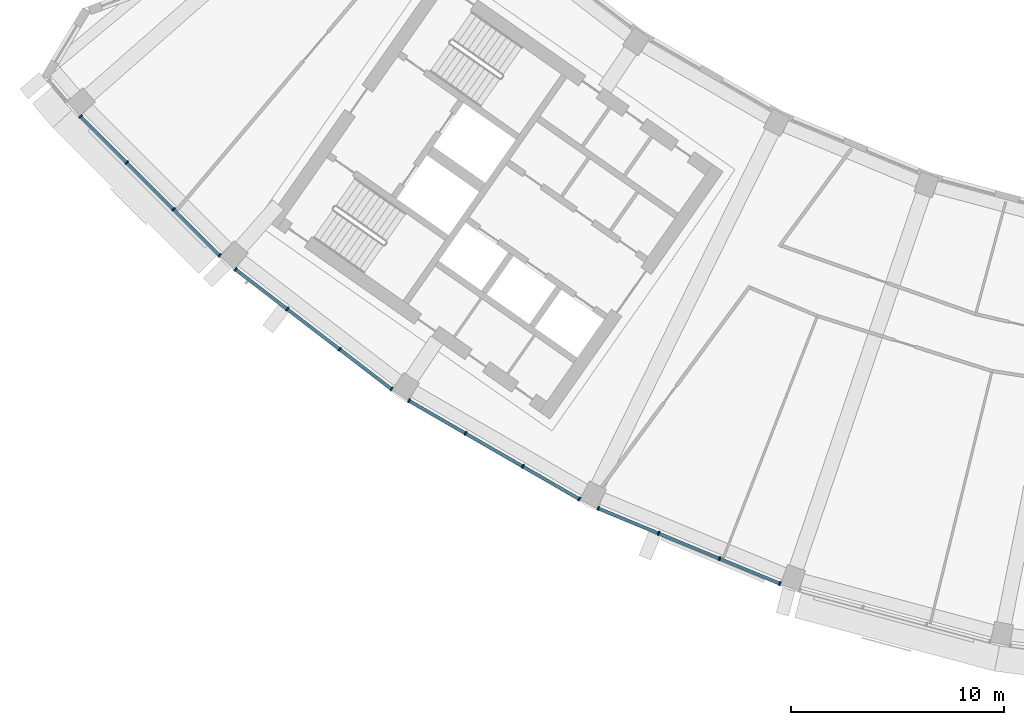
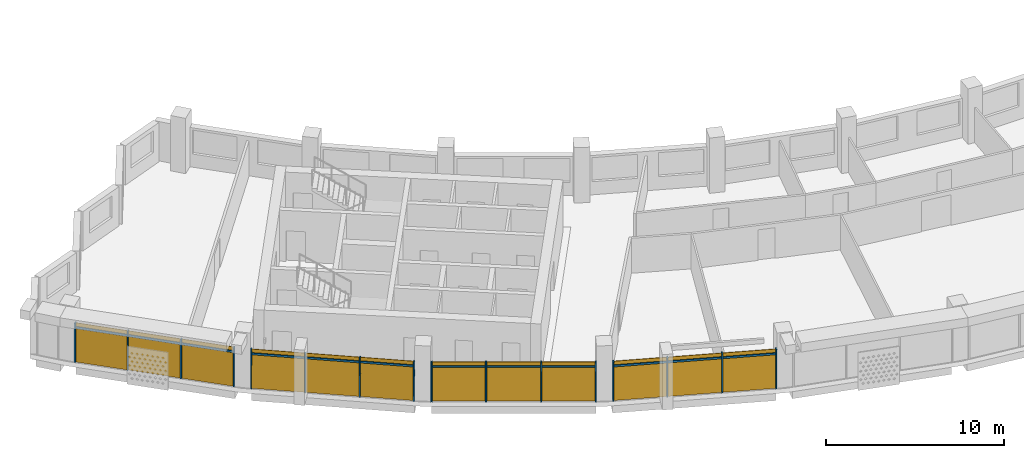
# One storey, part 18 of 28: 28 members, 4 curtain walls.
"""IFC4 building model written with IfcOpenShell, lengths in metres."""

from ifc_helpers import new_model, si_unit, direction, frame, origin, origin_2d, place, context, subcontext, project, spatial, rectangle, extrude, material, material_profile, profile_set, type_object, element, aggregate, save


model = new_model("IFC4")

# Units and contexts
model_context = context("Model", 3, precision=1e-05, world=origin(), true_north=direction((0.0, 1.0)))
body_context = subcontext(model_context, "Body", "Model", "MODEL_VIEW")
ifc_project = project(units=[si_unit("LENGTHUNIT", "METRE"), si_unit("AREAUNIT", "SQUARE_METRE"), si_unit("VOLUMEUNIT", "CUBIC_METRE"), si_unit("PLANEANGLEUNIT", "RADIAN"), si_unit("MASSUNIT", "GRAM", prefix="KILO")], contexts=[model_context])

# Member
ifc_material = material(Name="Aluminium 6063-T6 anodised", Category="aluminium")
ifc_material_profile_1 = material_profile(ifc_material, rectangle(XDim=0.199951171875, YDim=0.070068359375, at=origin_2d()))
ifc_profile_set_1 = profile_set([ifc_material_profile_1], Name="Aluminium 6063-T6 anodised")
member_type_1 = type_object("IfcMemberType", Name="Mullion 70 x 200 aluminium", PredefinedType="MULLION", material=ifc_profile_set_1)
site_placement = place(None, origin())
building_placement = place(site_placement, origin())
storey_placement = place(building_placement, frame((0.0, 0.0, 269.5)))
member_1_placement = place(storey_placement, frame((-58.482421875, -51.942626953125, 0.0), z_axis=(0.0, 0.0, 1.0), x_axis=(0.707106781187, 0.707106781187, 0.0)))
member_1 = element("IfcMember", 1, at=member_1_placement, type_object=member_type_1, Name="e-cw1-L65-out01/M00", PredefinedType="MULLION", context=body_context, shape_type="SweptSolid", body=[
    extrude(rectangle(XDim=0.199951171875, YDim=0.070068359375, at=origin_2d()), origin(), (0.0, 0.0, 1.0), 2.699951171875),
])

member_2_placement = place(storey_placement, frame((-56.310791015625, -54.1142578125, 0.0), z_axis=(0.0, 0.0, 1.0), x_axis=(0.707106781187, 0.707106781187, 0.0)))
member_2 = element("IfcMember", 2, at=member_2_placement, type_object=member_type_1, Name="e-cw1-L65-out01/M01", PredefinedType="MULLION", context=body_context, shape_type="SweptSolid", body=[
    extrude(rectangle(XDim=0.199951171875, YDim=0.070068359375, at=origin_2d()), origin(), (0.0, 0.0, 1.0), 2.699951171875),
])

member_3_placement = place(storey_placement, frame((-54.1142578125, -56.310791015625, 0.0), z_axis=(0.0, 0.0, 1.0), x_axis=(0.707106781187, 0.707106781187, 0.0)))
member_3 = element("IfcMember", 3, at=member_3_placement, type_object=member_type_1, Name="e-cw1-L65-out01/M02", PredefinedType="MULLION", context=body_context, shape_type="SweptSolid", body=[
    extrude(rectangle(XDim=0.199951171875, YDim=0.070068359375, at=origin_2d()), origin(), (0.0, 0.0, 1.0), 2.699951171875),
])

member_4_placement = place(storey_placement, frame((-51.942626953125, -58.482421875, 0.0), z_axis=(0.0, 0.0, 1.0), x_axis=(0.707106781187, 0.707106781187, 0.0)))
member_4 = element("IfcMember", 4, at=member_4_placement, type_object=member_type_1, Name="e-cw1-L65-out01/M03", PredefinedType="MULLION", context=body_context, shape_type="SweptSolid", body=[
    extrude(rectangle(XDim=0.199951171875, YDim=0.070068359375, at=origin_2d()), origin(), (0.0, 0.0, 1.0), 2.699951171875),
])

member_5_placement = place(storey_placement, frame((-51.2021484375, -59.131591796875, 0.0), z_axis=(0.0, 0.0, 1.0), x_axis=(0.608761429009, 0.793353340291, 0.0)))
member_5 = element("IfcMember", 5, at=member_5_placement, type_object=member_type_1, Name="e-cw1-L65-out02/M00", PredefinedType="MULLION", context=body_context, shape_type="SweptSolid", body=[
    extrude(rectangle(XDim=0.199951171875, YDim=0.070068359375, at=origin_2d()), origin(), (0.0, 0.0, 1.0), 2.699951171875),
])

member_6_placement = place(storey_placement, frame((-48.765625, -61.001220703125, 0.0), z_axis=(0.0, 0.0, 1.0), x_axis=(0.608761429009, 0.793353340291, 0.0)))
member_6 = element("IfcMember", 6, at=member_6_placement, type_object=member_type_1, Name="e-cw1-L65-out02/M01", PredefinedType="MULLION", context=body_context, shape_type="SweptSolid", body=[
    extrude(rectangle(XDim=0.199951171875, YDim=0.070068359375, at=origin_2d()), origin(), (0.0, 0.0, 1.0), 2.699951171875),
])

member_7_placement = place(storey_placement, frame((-46.30126953125, -62.892333984375, 0.0), z_axis=(0.0, 0.0, 1.0), x_axis=(0.608761429009, 0.793353340291, 0.0)))
member_7 = element("IfcMember", 7, at=member_7_placement, type_object=member_type_1, Name="e-cw1-L65-out02/M02", PredefinedType="MULLION", context=body_context, shape_type="SweptSolid", body=[
    extrude(rectangle(XDim=0.199951171875, YDim=0.070068359375, at=origin_2d()), origin(), (0.0, 0.0, 1.0), 2.699951171875),
])

member_8_placement = place(storey_placement, frame((-43.86474609375, -64.761962890625, 0.0), z_axis=(0.0, 0.0, 1.0), x_axis=(0.608761429009, 0.793353340291, 0.0)))
member_8 = element("IfcMember", 8, at=member_8_placement, type_object=member_type_1, Name="e-cw1-L65-out02/M03", PredefinedType="MULLION", context=body_context, shape_type="SweptSolid", body=[
    extrude(rectangle(XDim=0.199951171875, YDim=0.070068359375, at=origin_2d()), origin(), (0.0, 0.0, 1.0), 2.699951171875),
])

member_9_placement = place(storey_placement, frame((-43.0458984375, -65.30908203125, 0.0), z_axis=(0.0, 0.0, 1.0), x_axis=(0.5, 0.866025403784, 0.0)))
member_9 = element("IfcMember", 9, at=member_9_placement, type_object=member_type_1, Name="e-cw1-L65-out03/M00", PredefinedType="MULLION", context=body_context, shape_type="SweptSolid", body=[
    extrude(rectangle(XDim=0.199951171875, YDim=0.070068359375, at=origin_2d()), origin(), (0.0, 0.0, 1.0), 2.699951171875),
])

member_10_placement = place(storey_placement, frame((-40.38623046875, -66.8447265625, 0.0), z_axis=(0.0, 0.0, 1.0), x_axis=(0.5, 0.866025403784, 0.0)))
member_10 = element("IfcMember", 10, at=member_10_placement, type_object=member_type_1, Name="e-cw1-L65-out03/M01", PredefinedType="MULLION", context=body_context, shape_type="SweptSolid", body=[
    extrude(rectangle(XDim=0.199951171875, YDim=0.070068359375, at=origin_2d()), origin(), (0.0, 0.0, 1.0), 2.699951171875),
])

member_11_placement = place(storey_placement, frame((-37.696044921875, -68.397705078125, 0.0), z_axis=(0.0, 0.0, 1.0), x_axis=(0.5, 0.866025403784, 0.0)))
member_11 = element("IfcMember", 11, at=member_11_placement, type_object=member_type_1, Name="e-cw1-L65-out03/M02", PredefinedType="MULLION", context=body_context, shape_type="SweptSolid", body=[
    extrude(rectangle(XDim=0.199951171875, YDim=0.070068359375, at=origin_2d()), origin(), (0.0, 0.0, 1.0), 2.699951171875),
])

member_12_placement = place(storey_placement, frame((-35.036376953125, -69.933349609375, 0.0), z_axis=(0.0, 0.0, 1.0), x_axis=(0.5, 0.866025403784, 0.0)))
member_12 = element("IfcMember", 12, at=member_12_placement, type_object=member_type_1, Name="e-cw1-L65-out03/M03", PredefinedType="MULLION", context=body_context, shape_type="SweptSolid", body=[
    extrude(rectangle(XDim=0.199951171875, YDim=0.070068359375, at=origin_2d()), origin(), (0.0, 0.0, 1.0), 2.699951171875),
])

member_13_placement = place(storey_placement, frame((-34.153076171875, -70.368896484375, 0.0), z_axis=(0.0, 0.0, 1.0), x_axis=(0.382683432365, 0.923879532511, 0.0)))
member_13 = element("IfcMember", 13, at=member_13_placement, type_object=member_type_1, Name="e-cw1-L65-out04/M00", PredefinedType="MULLION", context=body_context, shape_type="SweptSolid", body=[
    extrude(rectangle(XDim=0.199951171875, YDim=0.070068359375, at=origin_2d()), origin(), (0.0, 0.0, 1.0), 2.699951171875),
])

member_14_placement = place(storey_placement, frame((-31.315673828125, -71.544189453125, 0.0), z_axis=(0.0, 0.0, 1.0), x_axis=(0.382683432365, 0.923879532511, 0.0)))
member_14 = element("IfcMember", 14, at=member_14_placement, type_object=member_type_1, Name="e-cw1-L65-out04/M01", PredefinedType="MULLION", context=body_context, shape_type="SweptSolid", body=[
    extrude(rectangle(XDim=0.199951171875, YDim=0.070068359375, at=origin_2d()), origin(), (0.0, 0.0, 1.0), 2.699951171875),
])

member_15_placement = place(storey_placement, frame((-28.44580078125, -72.73291015625, 0.0), z_axis=(0.0, 0.0, 1.0), x_axis=(0.382683432365, 0.923879532511, 0.0)))
member_15 = element("IfcMember", 15, at=member_15_placement, type_object=member_type_1, Name="e-cw1-L65-out04/M02", PredefinedType="MULLION", context=body_context, shape_type="SweptSolid", body=[
    extrude(rectangle(XDim=0.199951171875, YDim=0.070068359375, at=origin_2d()), origin(), (0.0, 0.0, 1.0), 2.699951171875),
])

member_16_placement = place(storey_placement, frame((-25.6083984375, -73.908203125, 0.0), z_axis=(0.0, 0.0, 1.0), x_axis=(0.382683432365, 0.923879532511, 0.0)))
member_16 = element("IfcMember", 16, at=member_16_placement, type_object=member_type_1, Name="e-cw1-L65-out04/M03", PredefinedType="MULLION", context=body_context, shape_type="SweptSolid", body=[
    extrude(rectangle(XDim=0.199951171875, YDim=0.070068359375, at=origin_2d()), origin(), (0.0, 0.0, 1.0), 2.699951171875),
])

ifc_material_profile_2 = material_profile(ifc_material, rectangle(XDim=0.139892578125, YDim=0.1201171875, at=origin_2d()))
ifc_profile_set_2 = profile_set([ifc_material_profile_2], Name="Aluminium 6063-T6 anodised")
member_type_2 = type_object("IfcMemberType", Name="Transom 120 x 140 aluminium", PredefinedType="USERDEFINED", material=ifc_profile_set_2)
member_17_placement = place(storey_placement, frame((-58.45751953125, -51.96728515625, 2.39990234375), z_axis=(0.707066106633, -0.707147453401, 0.0), x_axis=(0.707147453401, 0.707066106633, 0.0)))
member_17 = element("IfcMember", 17, at=member_17_placement, type_object=member_type_2, Name="e-cw1-L65-out01/T00", ObjectType="TRANSOM", PredefinedType="USERDEFINED", context=body_context, shape_type="SweptSolid", body=[
    extrude(rectangle(XDim=0.139892578125, YDim=0.1201171875, at=origin_2d()), origin(), (0.0, 0.0, 1.0), 3.001220703125),
])

member_18_placement = place(storey_placement, frame((-56.285888671875, -54.138916015625, 2.39990234375), z_axis=(0.707106781187, -0.707106781187, 0.0), x_axis=(0.707106781187, 0.707106781187, 0.0)))
member_18 = element("IfcMember", 18, at=member_18_placement, type_object=member_type_2, Name="e-cw1-L65-out01/T01", ObjectType="TRANSOM", PredefinedType="USERDEFINED", context=body_context, shape_type="SweptSolid", body=[
    extrude(rectangle(XDim=0.139892578125, YDim=0.1201171875, at=origin_2d()), origin(), (0.0, 0.0, 1.0), 3.036376953125),
])

member_19_placement = place(storey_placement, frame((-54.089599609375, -56.33544921875, 2.39990234375), z_axis=(0.707147453401, -0.707066106633, 0.0), x_axis=(0.707066106633, 0.707147453401, 0.0)))
member_19 = element("IfcMember", 19, at=member_19_placement, type_object=member_type_2, Name="e-cw1-L65-out01/T02", ObjectType="TRANSOM", PredefinedType="USERDEFINED", context=body_context, shape_type="SweptSolid", body=[
    extrude(rectangle(XDim=0.139892578125, YDim=0.1201171875, at=origin_2d()), origin(), (0.0, 0.0, 1.0), 3.001220703125),
])

member_20_placement = place(storey_placement, frame((-51.17431640625, -59.153076171875, 2.39990234375), z_axis=(0.793352271072, -0.60876282244, 0.0), x_axis=(0.60876282244, 0.793352271072, 0.0)))
member_20 = element("IfcMember", 20, at=member_20_placement, type_object=member_type_2, Name="e-cw1-L65-out02/T00", ObjectType="TRANSOM", PredefinedType="USERDEFINED", context=body_context, shape_type="SweptSolid", body=[
    extrude(rectangle(XDim=0.139892578125, YDim=0.1201171875, at=origin_2d()), origin(), (0.0, 0.0, 1.0), 3.0009765625),
])

member_21_placement = place(storey_placement, frame((-48.73779296875, -61.022705078125, 2.39990234375), z_axis=(0.79333190513, -0.608789362836, 0.0), x_axis=(0.608789362836, 0.79333190513, 0.0)))
member_21 = element("IfcMember", 21, at=member_21_placement, type_object=member_type_2, Name="e-cw1-L65-out02/T01", ObjectType="TRANSOM", PredefinedType="USERDEFINED", context=body_context, shape_type="SweptSolid", body=[
    extrude(rectangle(XDim=0.139892578125, YDim=0.1201171875, at=origin_2d()), origin(), (0.0, 0.0, 1.0), 3.0361328125),
])

member_22_placement = place(storey_placement, frame((-46.2734375, -62.91357421875, 2.39990234375), z_axis=(0.793312980955, -0.60881402271, 0.0), x_axis=(0.60881402271, 0.793312980955, 0.0)))
member_22 = element("IfcMember", 22, at=member_22_placement, type_object=member_type_2, Name="e-cw1-L65-out02/T02", ObjectType="TRANSOM", PredefinedType="USERDEFINED", context=body_context, shape_type="SweptSolid", body=[
    extrude(rectangle(XDim=0.139892578125, YDim=0.1201171875, at=origin_2d()), origin(), (0.0, 0.0, 1.0), 3.001220703125),
])

member_23_placement = place(storey_placement, frame((-43.015625, -65.32666015625, 2.39990234375), z_axis=(0.866041993159, -0.49997126526, 0.0), x_axis=(0.49997126526, 0.866041993159, 0.0)))
member_23 = element("IfcMember", 23, at=member_23_placement, type_object=member_type_2, Name="e-cw1-L65-out03/T00", ObjectType="TRANSOM", PredefinedType="USERDEFINED", context=body_context, shape_type="SweptSolid", body=[
    extrude(rectangle(XDim=0.139892578125, YDim=0.1201171875, at=origin_2d()), origin(), (0.0, 0.0, 1.0), 3.001220703125),
])

member_24_placement = place(storey_placement, frame((-40.35595703125, -66.862060546875, 2.39990234375), z_axis=(0.866012861315, -0.500021723565, 0.0), x_axis=(0.500021723565, 0.866012861315, 0.0)))
member_24 = element("IfcMember", 24, at=member_24_placement, type_object=member_type_2, Name="e-cw1-L65-out03/T01", ObjectType="TRANSOM", PredefinedType="USERDEFINED", context=body_context, shape_type="SweptSolid", body=[
    extrude(rectangle(XDim=0.139892578125, YDim=0.1201171875, at=origin_2d()), origin(), (0.0, 0.0, 1.0), 3.036376953125),
])

member_25_placement = place(storey_placement, frame((-37.665771484375, -68.415283203125, 2.39990234375), z_axis=(0.866041993159, -0.49997126526, 0.0), x_axis=(0.49997126526, 0.866041993159, 0.0)))
member_25 = element("IfcMember", 25, at=member_25_placement, type_object=member_type_2, Name="e-cw1-L65-out03/T02", ObjectType="TRANSOM", PredefinedType="USERDEFINED", context=body_context, shape_type="SweptSolid", body=[
    extrude(rectangle(XDim=0.139892578125, YDim=0.1201171875, at=origin_2d()), origin(), (0.0, 0.0, 1.0), 3.001220703125),
])

member_26_placement = place(storey_placement, frame((-34.120849609375, -70.38232421875, 2.39990234375), z_axis=(0.923897869521, -0.382639159907, 0.0), x_axis=(0.382639159907, 0.923897869521, 0.0)))
member_26 = element("IfcMember", 26, at=member_26_placement, type_object=member_type_2, Name="e-cw1-L65-out04/T00", ObjectType="TRANSOM", PredefinedType="USERDEFINED", context=body_context, shape_type="SweptSolid", body=[
    extrude(rectangle(XDim=0.139892578125, YDim=0.1201171875, at=origin_2d()), origin(), (0.0, 0.0, 1.0), 3.00146484375),
])

member_27_placement = place(storey_placement, frame((-31.283447265625, -71.5576171875, 2.39990234375), z_axis=(0.923888454036, -0.38266189319, 0.0), x_axis=(0.38266189319, 0.923888454036, 0.0)))
member_27 = element("IfcMember", 27, at=member_27_placement, type_object=member_type_2, Name="e-cw1-L65-out04/T01", ObjectType="TRANSOM", PredefinedType="USERDEFINED", context=body_context, shape_type="SweptSolid", body=[
    extrude(rectangle(XDim=0.139892578125, YDim=0.1201171875, at=origin_2d()), origin(), (0.0, 0.0, 1.0), 3.036376953125),
])

member_28_placement = place(storey_placement, frame((-28.41357421875, -72.746337890625, 2.39990234375), z_axis=(0.923885958475, -0.382667918347, 0.0), x_axis=(0.382667918347, 0.923885958475, 0.0)))
member_28 = element("IfcMember", 28, at=member_28_placement, type_object=member_type_2, Name="e-cw1-L65-out04/T02", ObjectType="TRANSOM", PredefinedType="USERDEFINED", context=body_context, shape_type="SweptSolid", body=[
    extrude(rectangle(XDim=0.139892578125, YDim=0.1201171875, at=origin_2d()), origin(), (0.0, 0.0, 1.0), 3.001220703125),
])

# Site, building, storey
site = spatial("IfcSite", under=ifc_project, at=site_placement, CompositionType="ELEMENT")
building = spatial("IfcBuilding", under=site, at=building_placement, Name="Qamariyya Broadcast Tower", CompositionType="ELEMENT")
storey = spatial("IfcBuildingStorey", under=building, at=storey_placement, Name="L65", CompositionType="ELEMENT", Elevation=269.5)

# Curtain wall
curtain_wall_type = type_object("IfcCurtainWallType", Name="Unitised curtain wall, anodised aluminium", PredefinedType="NOTDEFINED", material=ifc_material)
curtain_wall_1_placement = place(storey_placement, origin())
curtain_wall_1 = element("IfcCurtainWall", 29, at=curtain_wall_1_placement, inside=storey, type_object=curtain_wall_type, Name="e-cw1-L65-out01", PredefinedType="NOTDEFINED", context=body_context, shape_type="SweptSolid", body=[
    extrude(rectangle(XDim=3.001220703125, YDim=0.031982421875, at=origin_2d()), frame((-57.396484375, -53.0283203125, 0.0), x_axis=(0.707106781187, -0.707106781187, 0.0)), (0.0, 0.0, 1.0), 2.340087890625),
    extrude(rectangle(XDim=3.001220703125, YDim=0.031982421875, at=origin_2d()), frame((-57.396484375, -53.0283203125, 2.4599609375), x_axis=(0.707106781187, -0.707106781187, 0.0)), (0.0, 0.0, 1.0), 0.239990234375),
    extrude(rectangle(XDim=3.0361328125, YDim=0.031982421875, at=origin_2d()), frame((-55.21240234375, -55.21240234375, 0.0), x_axis=(0.707106781187, -0.707106781187, 0.0)), (0.0, 0.0, 1.0), 2.340087890625),
    extrude(rectangle(XDim=3.0361328125, YDim=0.031982421875, at=origin_2d()), frame((-55.21240234375, -55.21240234375, 2.4599609375), x_axis=(0.707106781187, -0.707106781187, 0.0)), (0.0, 0.0, 1.0), 0.239990234375),
    extrude(rectangle(XDim=3.001220703125, YDim=0.031982421875, at=origin_2d()), frame((-53.0283203125, -57.396484375, 0.0), x_axis=(0.707106781187, -0.707106781187, 0.0)), (0.0, 0.0, 1.0), 2.340087890625),
    extrude(rectangle(XDim=3.001220703125, YDim=0.031982421875, at=origin_2d()), frame((-53.0283203125, -57.396484375, 2.4599609375), x_axis=(0.707106781187, -0.707106781187, 0.0)), (0.0, 0.0, 1.0), 0.239990234375),
])

aggregate(curtain_wall_1, [member_1, member_2, member_3, member_4, member_17, member_18, member_19])

curtain_wall_2_placement = place(storey_placement, origin())
curtain_wall_2 = element("IfcCurtainWall", 30, at=curtain_wall_2_placement, inside=storey, type_object=curtain_wall_type, Name="e-cw1-L65-out02", PredefinedType="NOTDEFINED", context=body_context, shape_type="SweptSolid", body=[
    extrude(rectangle(XDim=3.001220703125, YDim=0.031982421875, at=origin_2d()), frame((-49.98388671875, -60.06640625, 0.0), x_axis=(0.793355818396, -0.608758199466, 0.0)), (0.0, 0.0, 1.0), 2.340087890625),
    extrude(rectangle(XDim=3.001220703125, YDim=0.031982421875, at=origin_2d()), frame((-49.98388671875, -60.06640625, 2.4599609375), x_axis=(0.793355818396, -0.608758199466, 0.0)), (0.0, 0.0, 1.0), 0.239990234375),
    extrude(rectangle(XDim=3.0361328125, YDim=0.031982421875, at=origin_2d()), frame((-47.533447265625, -61.94677734375, 0.0), x_axis=(0.793355818396, -0.608758199466, 0.0)), (0.0, 0.0, 1.0), 2.340087890625),
    extrude(rectangle(XDim=3.0361328125, YDim=0.031982421875, at=origin_2d()), frame((-47.533447265625, -61.94677734375, 2.4599609375), x_axis=(0.793355818396, -0.608758199466, 0.0)), (0.0, 0.0, 1.0), 0.239990234375),
    extrude(rectangle(XDim=3.001220703125, YDim=0.031982421875, at=origin_2d()), frame((-45.0830078125, -63.8271484375, 0.0), x_axis=(0.793355818396, -0.608758199466, 0.0)), (0.0, 0.0, 1.0), 2.340087890625),
    extrude(rectangle(XDim=3.001220703125, YDim=0.031982421875, at=origin_2d()), frame((-45.0830078125, -63.8271484375, 2.4599609375), x_axis=(0.793355818396, -0.608758199466, 0.0)), (0.0, 0.0, 1.0), 0.239990234375),
])

aggregate(curtain_wall_2, [member_5, member_6, member_7, member_8, member_20, member_21, member_22])

curtain_wall_3_placement = place(storey_placement, origin())
curtain_wall_3 = element("IfcCurtainWall", 31, at=curtain_wall_3_placement, inside=storey, type_object=curtain_wall_type, Name="e-cw1-L65-out03", PredefinedType="NOTDEFINED", context=body_context, shape_type="SweptSolid", body=[
    extrude(rectangle(XDim=3.001220703125, YDim=0.031982421875, at=origin_2d()), frame((-41.716064453125, -66.076904296875, 0.0), x_axis=(0.866017611601, -0.500013496215, 0.0)), (0.0, 0.0, 1.0), 2.340087890625),
    extrude(rectangle(XDim=3.001220703125, YDim=0.031982421875, at=origin_2d()), frame((-41.716064453125, -66.076904296875, 2.4599609375), x_axis=(0.866017611601, -0.500013496215, 0.0)), (0.0, 0.0, 1.0), 0.239990234375),
    extrude(rectangle(XDim=3.0361328125, YDim=0.031982421875, at=origin_2d()), frame((-39.041015625, -67.62109375, 0.0), x_axis=(0.866017611601, -0.500013496215, 0.0)), (0.0, 0.0, 1.0), 2.340087890625),
    extrude(rectangle(XDim=3.0361328125, YDim=0.031982421875, at=origin_2d()), frame((-39.041015625, -67.62109375, 2.4599609375), x_axis=(0.866017611601, -0.500013496215, 0.0)), (0.0, 0.0, 1.0), 0.239990234375),
    extrude(rectangle(XDim=3.001220703125, YDim=0.031982421875, at=origin_2d()), frame((-36.3662109375, -69.16552734375, 0.0), x_axis=(0.866017611601, -0.500013496215, 0.0)), (0.0, 0.0, 1.0), 2.340087890625),
    extrude(rectangle(XDim=3.001220703125, YDim=0.031982421875, at=origin_2d()), frame((-36.3662109375, -69.16552734375, 2.4599609375), x_axis=(0.866017611601, -0.500013496215, 0.0)), (0.0, 0.0, 1.0), 0.239990234375),
])

aggregate(curtain_wall_3, [member_9, member_10, member_11, member_12, member_23, member_24, member_25])

curtain_wall_4_placement = place(storey_placement, origin())
curtain_wall_4 = element("IfcCurtainWall", 32, at=curtain_wall_4_placement, inside=storey, type_object=curtain_wall_type, Name="e-cw1-L65-out04", PredefinedType="NOTDEFINED", context=body_context, shape_type="SweptSolid", body=[
    extrude(rectangle(XDim=3.001220703125, YDim=0.031982421875, at=origin_2d()), frame((-32.734375, -70.95654296875, 0.0), x_axis=(0.923877930643, -0.382687299595, 0.0)), (0.0, 0.0, 1.0), 2.340087890625),
    extrude(rectangle(XDim=3.001220703125, YDim=0.031982421875, at=origin_2d()), frame((-32.734375, -70.95654296875, 2.4599609375), x_axis=(0.923877930643, -0.382687299595, 0.0)), (0.0, 0.0, 1.0), 0.239990234375),
    extrude(rectangle(XDim=3.0361328125, YDim=0.031982421875, at=origin_2d()), frame((-29.880859375, -72.138671875, 0.0), x_axis=(0.923877930643, -0.382687299595, 0.0)), (0.0, 0.0, 1.0), 2.340087890625),
    extrude(rectangle(XDim=3.0361328125, YDim=0.031982421875, at=origin_2d()), frame((-29.880859375, -72.138671875, 2.4599609375), x_axis=(0.923877930643, -0.382687299595, 0.0)), (0.0, 0.0, 1.0), 0.239990234375),
    extrude(rectangle(XDim=3.001220703125, YDim=0.031982421875, at=origin_2d()), frame((-27.02734375, -73.320556640625, 0.0), x_axis=(0.923877930643, -0.382687299595, 0.0)), (0.0, 0.0, 1.0), 2.340087890625),
    extrude(rectangle(XDim=3.001220703125, YDim=0.031982421875, at=origin_2d()), frame((-27.02734375, -73.320556640625, 2.4599609375), x_axis=(0.923877930643, -0.382687299595, 0.0)), (0.0, 0.0, 1.0), 0.239990234375),
])

aggregate(curtain_wall_4, [member_13, member_14, member_15, member_16, member_26, member_27, member_28])

save(model, "model.ifc")
